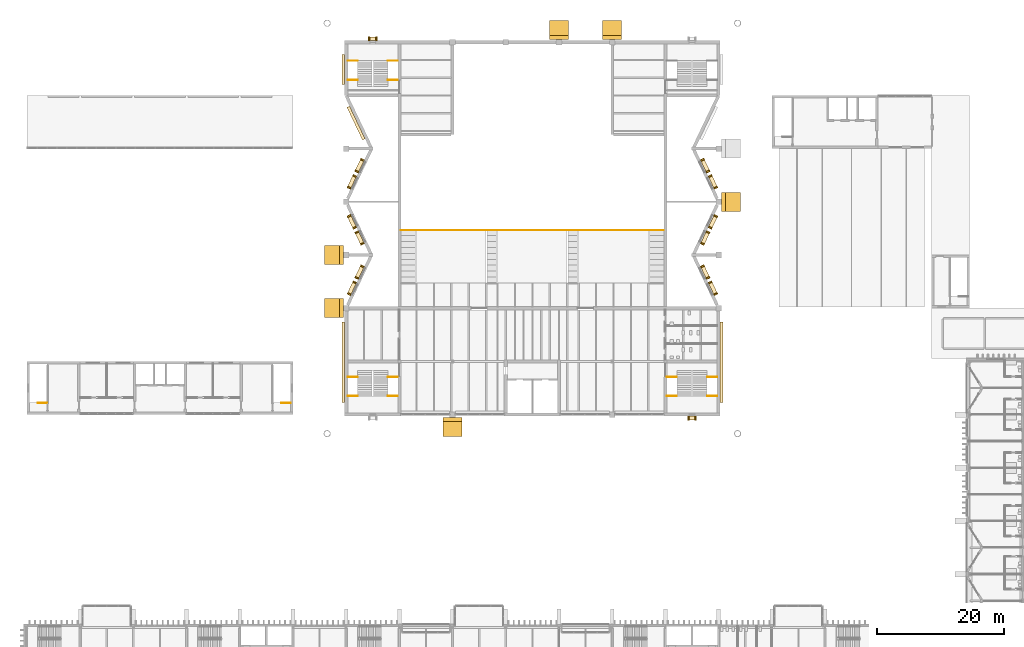
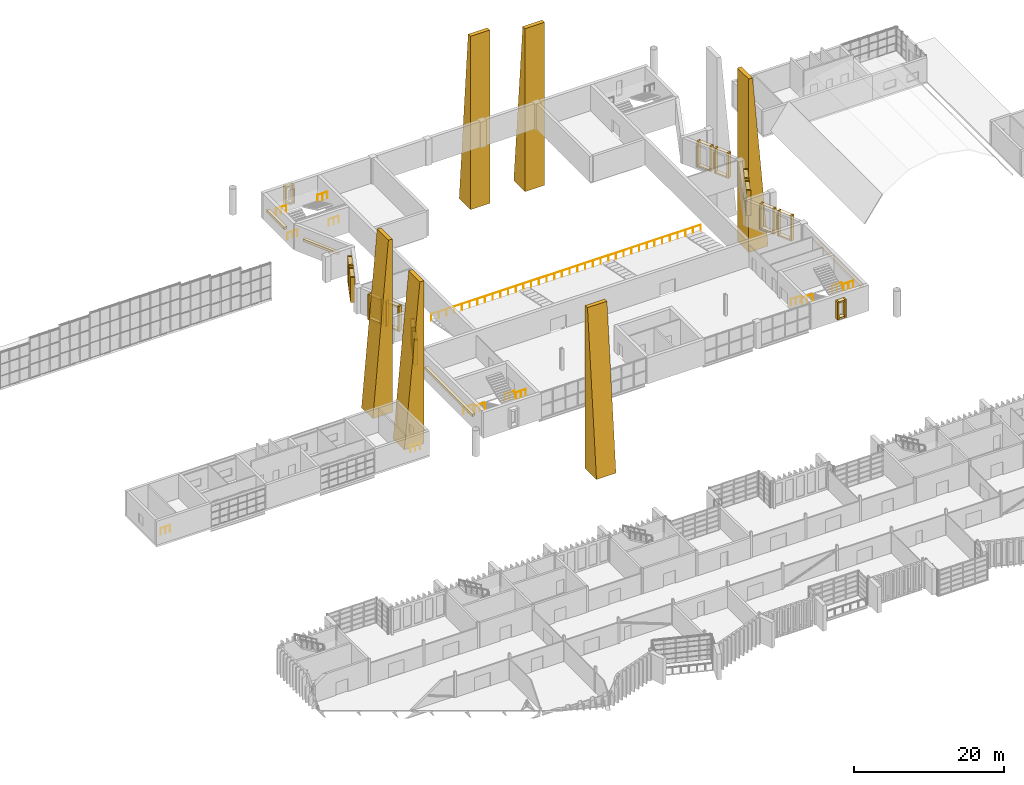
# One storey, part 95 of 100: 66 coverings, 15 railings.
"""IFC4 building model written with IfcOpenShell, lengths in metres."""

from ifc_helpers import new_model, si_unit, direction, frame, origin, origin_2d, place, context, subcontext, project, spatial, polyline, rectangle, circle, outline, extrude, material, type_object, element, save


model = new_model("IFC4")

# Units and contexts
model_context = context("Model", 3, precision=1e-05, world=origin(), true_north=direction((0.0, 1.0)))
body_context = subcontext(model_context, "Body", "Model", "MODEL_VIEW")
ifc_project = project(units=[si_unit("LENGTHUNIT", "METRE"), si_unit("AREAUNIT", "SQUARE_METRE"), si_unit("VOLUMEUNIT", "CUBIC_METRE"), si_unit("PLANEANGLEUNIT", "RADIAN"), si_unit("MASSUNIT", "GRAM", prefix="KILO")], contexts=[model_context])

# Site, building, storey
site_placement = place(None, origin())
site = spatial("IfcSite", under=ifc_project, at=site_placement, CompositionType="ELEMENT")
building_placement = place(site_placement, origin())
building = spatial("IfcBuilding", under=site, at=building_placement, Name="Cresset Court Congress Hotel", CompositionType="ELEMENT")
storey_placement = place(building_placement, frame((0.0, 0.0, 10.199951171875)))
storey = spatial("IfcBuildingStorey", under=building, at=storey_placement, Name="L02", CompositionType="ELEMENT", Elevation=10.199951171875)

# Railings
ifc_material_1 = material(Name="Steel and laminated glass", Category="steel")
railing_type_1 = type_object("IfcRailingType", Name="Guard 1100 steel and glass", PredefinedType="GUARDRAIL", material=ifc_material_1)
for number, where, name in (
    (1, (59.050048828125, 64.75, 0.0), "Guard CC-C1L02a"),
    (2, (65.39990234375, 64.75, 0.0), "Guard CC-C1L02b"),
    (3, (59.050048828125, 61.719970703125, 2.10009765625), "Guard CC-C1L02a"),
    (4, (65.39990234375, 61.719970703125, 2.10009765625), "Guard CC-C1L02b"),
    (5, (109.449951171875, 64.75, 0.0), "Guard CC-C2L02a"),
    (6, (115.800048828125, 64.75, 0.0), "Guard CC-C2L02b"),
    (7, (109.449951171875, 61.719970703125, 2.10009765625), "Guard CC-C2L02a"),
    (8, (115.800048828125, 61.719970703125, 2.10009765625), "Guard CC-C2L02b"),
    (9, (59.050048828125, 111.64990234375, 0.0), "Guard CC-C3L02a"),
    (10, (65.39990234375, 111.64990234375, 0.0), "Guard CC-C3L02b"),
    (11, (59.050048828125, 114.679931640625, 2.10009765625), "Guard CC-C3L02a"),
    (12, (65.39990234375, 114.679931640625, 2.10009765625), "Guard CC-C3L02b"),
):
    element("IfcRailing", number, at=place(storey_placement, frame(where)), inside=storey, type_object=railing_type_1, Name=name, PredefinedType="GUARDRAIL", context=body_context, shape_type="SweptSolid", body=[
        extrude(circle(Radius=0.02490234375, at=origin_2d()), frame((0.0, 0.0, 1.0751953125), z_axis=(1.0, 0.0, 0.0), x_axis=(0.0, 1.0, 0.0)), (0.0, 0.0, 1.0), 1.550048828125),
        extrude(circle(Radius=0.02001953125, at=origin_2d()), origin(), (0.0, 0.0, 1.0), 1.050048828125),
        extrude(circle(Radius=0.02001953125, at=origin_2d()), frame((0.77490234375, 0.0, 0.0)), (0.0, 0.0, 1.0), 1.050048828125),
        extrude(circle(Radius=0.02001953125, at=origin_2d()), frame((1.550048828125, 0.0, 0.0)), (0.0, 0.0, 1.0), 1.050048828125),
    ])
railing_placement = place(storey_placement, frame((67.449951171875, 87.89990234375, -1.75)))
element("IfcRailing", 13, at=railing_placement, inside=storey, type_object=railing_type_1, Name="Guard CG-B1", PredefinedType="GUARDRAIL", context=body_context, shape_type="SweptSolid", body=[
    extrude(circle(Radius=0.02490234375, at=origin_2d()), frame((0.0, 0.0, 1.0751953125), z_axis=(1.0, 0.0, 0.0), x_axis=(0.0, 1.0, 0.0)), (0.0, 0.0, 1.0), 41.5),
    extrude(circle(Radius=0.02001953125, at=origin_2d()), origin(), (0.0, 0.0, 1.0), 1.050048828125),
    extrude(circle(Radius=0.02001953125, at=origin_2d()), frame((1.185791015625, 0.0, 0.0)), (0.0, 0.0, 1.0), 1.050048828125),
    extrude(circle(Radius=0.02001953125, at=origin_2d()), frame((2.371337890625, 0.0, 0.0)), (0.0, 0.0, 1.0), 1.050048828125),
    extrude(circle(Radius=0.02001953125, at=origin_2d()), frame((3.55712890625, 0.0, 0.0)), (0.0, 0.0, 1.0), 1.050048828125),
    extrude(circle(Radius=0.02001953125, at=origin_2d()), frame((4.742919921875, 0.0, 0.0)), (0.0, 0.0, 1.0), 1.050048828125),
    extrude(circle(Radius=0.02001953125, at=origin_2d()), frame((5.928466796875, 0.0, 0.0)), (0.0, 0.0, 1.0), 1.050048828125),
    extrude(circle(Radius=0.02001953125, at=origin_2d()), frame((7.1142578125, 0.0, 0.0)), (0.0, 0.0, 1.0), 1.050048828125),
    extrude(circle(Radius=0.02001953125, at=origin_2d()), frame((8.300048828125, 0.0, 0.0)), (0.0, 0.0, 1.0), 1.050048828125),
    extrude(circle(Radius=0.02001953125, at=origin_2d()), frame((9.485595703125, 0.0, 0.0)), (0.0, 0.0, 1.0), 1.050048828125),
    extrude(circle(Radius=0.02001953125, at=origin_2d()), frame((10.67138671875, 0.0, 0.0)), (0.0, 0.0, 1.0), 1.050048828125),
    extrude(circle(Radius=0.02001953125, at=origin_2d()), frame((11.857177734375, 0.0, 0.0)), (0.0, 0.0, 1.0), 1.050048828125),
    extrude(circle(Radius=0.02001953125, at=origin_2d()), frame((13.04296875, 0.0, 0.0)), (0.0, 0.0, 1.0), 1.050048828125),
    extrude(circle(Radius=0.02001953125, at=origin_2d()), frame((14.228515625, 0.0, 0.0)), (0.0, 0.0, 1.0), 1.050048828125),
    extrude(circle(Radius=0.02001953125, at=origin_2d()), frame((15.414306640625, 0.0, 0.0)), (0.0, 0.0, 1.0), 1.050048828125),
    extrude(circle(Radius=0.02001953125, at=origin_2d()), frame((16.60009765625, 0.0, 0.0)), (0.0, 0.0, 1.0), 1.050048828125),
    extrude(circle(Radius=0.02001953125, at=origin_2d()), frame((17.78564453125, 0.0, 0.0)), (0.0, 0.0, 1.0), 1.050048828125),
    extrude(circle(Radius=0.02001953125, at=origin_2d()), frame((18.971435546875, 0.0, 0.0)), (0.0, 0.0, 1.0), 1.050048828125),
    extrude(circle(Radius=0.02001953125, at=origin_2d()), frame((20.1572265625, 0.0, 0.0)), (0.0, 0.0, 1.0), 1.050048828125),
    extrude(circle(Radius=0.02001953125, at=origin_2d()), frame((21.3427734375, 0.0, 0.0)), (0.0, 0.0, 1.0), 1.050048828125),
    extrude(circle(Radius=0.02001953125, at=origin_2d()), frame((22.528564453125, 0.0, 0.0)), (0.0, 0.0, 1.0), 1.050048828125),
    extrude(circle(Radius=0.02001953125, at=origin_2d()), frame((23.71435546875, 0.0, 0.0)), (0.0, 0.0, 1.0), 1.050048828125),
    extrude(circle(Radius=0.02001953125, at=origin_2d()), frame((24.89990234375, 0.0, 0.0)), (0.0, 0.0, 1.0), 1.050048828125),
    extrude(circle(Radius=0.02001953125, at=origin_2d()), frame((26.085693359375, 0.0, 0.0)), (0.0, 0.0, 1.0), 1.050048828125),
    extrude(circle(Radius=0.02001953125, at=origin_2d()), frame((27.271484375, 0.0, 0.0)), (0.0, 0.0, 1.0), 1.050048828125),
    extrude(circle(Radius=0.02001953125, at=origin_2d()), frame((28.45703125, 0.0, 0.0)), (0.0, 0.0, 1.0), 1.050048828125),
    extrude(circle(Radius=0.02001953125, at=origin_2d()), frame((29.642822265625, 0.0, 0.0)), (0.0, 0.0, 1.0), 1.050048828125),
    extrude(circle(Radius=0.02001953125, at=origin_2d()), frame((30.82861328125, 0.0, 0.0)), (0.0, 0.0, 1.0), 1.050048828125),
    extrude(circle(Radius=0.02001953125, at=origin_2d()), frame((32.014404296875, 0.0, 0.0)), (0.0, 0.0, 1.0), 1.050048828125),
    extrude(circle(Radius=0.02001953125, at=origin_2d()), frame((33.199951171875, 0.0, 0.0)), (0.0, 0.0, 1.0), 1.050048828125),
    extrude(circle(Radius=0.02001953125, at=origin_2d()), frame((34.3857421875, 0.0, 0.0)), (0.0, 0.0, 1.0), 1.050048828125),
    extrude(circle(Radius=0.02001953125, at=origin_2d()), frame((35.571533203125, 0.0, 0.0)), (0.0, 0.0, 1.0), 1.050048828125),
    extrude(circle(Radius=0.02001953125, at=origin_2d()), frame((36.757080078125, 0.0, 0.0)), (0.0, 0.0, 1.0), 1.050048828125),
    extrude(circle(Radius=0.02001953125, at=origin_2d()), frame((37.94287109375, 0.0, 0.0)), (0.0, 0.0, 1.0), 1.050048828125),
    extrude(circle(Radius=0.02001953125, at=origin_2d()), frame((39.128662109375, 0.0, 0.0)), (0.0, 0.0, 1.0), 1.050048828125),
    extrude(circle(Radius=0.02001953125, at=origin_2d()), frame((40.314208984375, 0.0, 0.0)), (0.0, 0.0, 1.0), 1.050048828125),
    extrude(circle(Radius=0.02001953125, at=origin_2d()), frame((41.5, 0.0, 0.0)), (0.0, 0.0, 1.0), 1.050048828125),
])

# Coverings
ifc_material_2 = material(Name="Precast concrete C50", Category="concrete")
covering_type_1 = type_object("IfcCoveringType", Name="Precast reveal band 450x400", PredefinedType="CLADDING", material=ifc_material_2)
covering_1_placement = place(storey_placement, frame((118.074951171875, 67.10009765625, 2.35009765625), z_axis=(0.0, 0.0, 1.0), x_axis=(0.0, -1.0, 0.0)))
element("IfcCovering", 14, at=covering_1_placement, inside=storey, type_object=covering_type_1, Name="Reveal band E.L02.00a.1", PredefinedType="CLADDING", context=body_context, shape_type="SweptSolid", body=[
    extrude(rectangle(XDim=12.699951171875, YDim=0.449951171875, at=origin_2d()), origin(), (0.0, 0.0, 1.0), 0.39990234375),
])
covering_2_placement = place(storey_placement, frame((58.324951171875, 113.27490234375, 2.35009765625), z_axis=(0.0, 0.0, 1.0), x_axis=(0.0, 1.0, 0.0)))
element("IfcCovering", 15, at=covering_2_placement, inside=storey, type_object=covering_type_1, Name="Reveal band W.L02.00a0.1", PredefinedType="CLADDING", context=body_context, shape_type="SweptSolid", body=[
    extrude(rectangle(XDim=4.75, YDim=0.449951171875, at=origin_2d()), origin(), (0.0, 0.0, 1.0), 0.39990234375),
])
covering_3_placement = place(storey_placement, frame((60.350341796875, 104.839599609375, 2.35009765625), z_axis=(0.0, 0.0, 1.0), x_axis=(-0.429932870312, 0.902860856957, 0.0)))
element("IfcCovering", 16, at=covering_3_placement, inside=storey, type_object=covering_type_1, Name="Reveal band W.L02.00a1.1", PredefinedType="CLADDING", context=body_context, shape_type="SweptSolid", body=[
    extrude(rectangle(XDim=5.696044921875, YDim=0.449951171875, at=origin_2d()), origin(), (0.0, 0.0, 1.0), 0.39990234375),
])
covering_4_placement = place(storey_placement, frame((58.324951171875, 67.10009765625, 2.35009765625), z_axis=(0.0, 0.0, 1.0), x_axis=(0.0, 1.0, 0.0)))
element("IfcCovering", 17, at=covering_4_placement, inside=storey, type_object=covering_type_1, Name="Reveal band W.L02.04a.1", PredefinedType="CLADDING", context=body_context, shape_type="SweptSolid", body=[
    extrude(rectangle(XDim=12.699951171875, YDim=0.449951171875, at=origin_2d()), origin(), (0.0, 0.0, 1.0), 0.39990234375),
])
ifc_material_3 = material(Name="Precast concrete C50", Category="concrete")
covering_type_2 = type_object("IfcCoveringType", Name="Precast reveal frame member 250x600", PredefinedType="CLADDING", material=ifc_material_3)
for number, where, z_axis, x_axis, name in (
    (18, (60.469970703125, 97.18603515625, 0.050048828125), (0.0, 0.0, 1.0), (0.429932870312, 0.902860856957, 0.0), "Reveal frame NC-02-W0197a"),
    (19, (61.351318359375, 99.036865234375, 0.050048828125), (0.0, 0.0, 1.0), (0.429932870312, 0.902860856957, 0.0), "Reveal frame NC-02-W0197b"),
):
    element("IfcCovering", number, at=place(storey_placement, frame(where, z_axis=z_axis, x_axis=x_axis)), inside=storey, type_object=covering_type_2, Name=name, PredefinedType="CLADDING", context=body_context, shape_type="SweptSolid", body=[
        extrude(rectangle(XDim=0.25, YDim=0.60009765625, at=origin_2d()), origin(), (0.0, 0.0, 1.0), 4.10009765625),
    ])
for number, where, z_axis, x_axis, name in (
    (20, (60.91064453125, 98.111572265625, 3.900146484375), (0.0, 0.0, 1.0), (0.429932870312, 0.902860856957, 0.0), "Reveal frame NC-02-W0197c"),
    (21, (60.91064453125, 98.111572265625, 0.050048828125), (0.0, 0.0, 1.0), (0.429932870312, 0.902860856957, 0.0), "Reveal frame NC-02-W0197d"),
):
    element("IfcCovering", number, at=place(storey_placement, frame(where, z_axis=z_axis, x_axis=x_axis)), inside=storey, type_object=covering_type_2, Name=name, PredefinedType="CLADDING", context=body_context, shape_type="SweptSolid", body=[
        extrude(rectangle(XDim=1.800048828125, YDim=0.60009765625, at=origin_2d()), origin(), (0.0, 0.0, 1.0), 0.25),
    ])
for number, where, z_axis, x_axis, name in (
    (22, (59.255615234375, 94.635986328125, 0.050048828125), (0.0, 0.0, 1.0), (0.429932870312, 0.902860856957, 0.0), "Reveal frame NC-02-W0222a"),
    (23, (60.136962890625, 96.48681640625, 0.050048828125), (0.0, 0.0, 1.0), (0.429932870312, 0.902860856957, 0.0), "Reveal frame NC-02-W0222b"),
):
    element("IfcCovering", number, at=place(storey_placement, frame(where, z_axis=z_axis, x_axis=x_axis)), inside=storey, type_object=covering_type_2, Name=name, PredefinedType="CLADDING", context=body_context, shape_type="SweptSolid", body=[
        extrude(rectangle(XDim=0.25, YDim=0.60009765625, at=origin_2d()), origin(), (0.0, 0.0, 1.0), 4.10009765625),
    ])
for number, where, z_axis, x_axis, name in (
    (24, (59.6962890625, 95.5615234375, 3.900146484375), (0.0, 0.0, 1.0), (0.429932870312, 0.902860856957, 0.0), "Reveal frame NC-02-W0222c"),
    (25, (59.6962890625, 95.5615234375, 0.050048828125), (0.0, 0.0, 1.0), (0.429932870312, 0.902860856957, 0.0), "Reveal frame NC-02-W0222d"),
):
    element("IfcCovering", number, at=place(storey_placement, frame(where, z_axis=z_axis, x_axis=x_axis)), inside=storey, type_object=covering_type_2, Name=name, PredefinedType="CLADDING", context=body_context, shape_type="SweptSolid", body=[
        extrude(rectangle(XDim=1.800048828125, YDim=0.60009765625, at=origin_2d()), origin(), (0.0, 0.0, 1.0), 0.25),
    ])
for number, where, z_axis, x_axis, name in (
    (26, (60.136962890625, 88.31298828125, 0.050048828125), (0.0, 0.0, 1.0), (-0.429932870312, 0.902860856957, 0.0), "Reveal frame NC-02-W0281a"),
    (27, (59.255615234375, 90.163818359375, 0.050048828125), (0.0, 0.0, 1.0), (-0.429932870312, 0.902860856957, 0.0), "Reveal frame NC-02-W0281b"),
):
    element("IfcCovering", number, at=place(storey_placement, frame(where, z_axis=z_axis, x_axis=x_axis)), inside=storey, type_object=covering_type_2, Name=name, PredefinedType="CLADDING", context=body_context, shape_type="SweptSolid", body=[
        extrude(rectangle(XDim=0.25, YDim=0.60009765625, at=origin_2d()), origin(), (0.0, 0.0, 1.0), 4.10009765625),
    ])
for number, where, z_axis, x_axis, name in (
    (28, (59.6962890625, 89.238525390625, 3.900146484375), (0.0, 0.0, 1.0), (-0.429932870312, 0.902860856957, 0.0), "Reveal frame NC-02-W0281c"),
    (29, (59.6962890625, 89.238525390625, 0.050048828125), (0.0, 0.0, 1.0), (-0.429932870312, 0.902860856957, 0.0), "Reveal frame NC-02-W0281d"),
):
    element("IfcCovering", number, at=place(storey_placement, frame(where, z_axis=z_axis, x_axis=x_axis)), inside=storey, type_object=covering_type_2, Name=name, PredefinedType="CLADDING", context=body_context, shape_type="SweptSolid", body=[
        extrude(rectangle(XDim=1.800048828125, YDim=0.60009765625, at=origin_2d()), origin(), (0.0, 0.0, 1.0), 0.25),
    ])
for number, where, z_axis, x_axis, name in (
    (30, (61.351318359375, 85.76318359375, 0.050048828125), (0.0, 0.0, 1.0), (-0.429932870312, 0.902860856957, 0.0), "Reveal frame NC-02-W0306a"),
    (31, (60.469970703125, 87.614013671875, 0.050048828125), (0.0, 0.0, 1.0), (-0.429932870312, 0.902860856957, 0.0), "Reveal frame NC-02-W0306b"),
):
    element("IfcCovering", number, at=place(storey_placement, frame(where, z_axis=z_axis, x_axis=x_axis)), inside=storey, type_object=covering_type_2, Name=name, PredefinedType="CLADDING", context=body_context, shape_type="SweptSolid", body=[
        extrude(rectangle(XDim=0.25, YDim=0.60009765625, at=origin_2d()), origin(), (0.0, 0.0, 1.0), 4.10009765625),
    ])
for number, where, z_axis, x_axis, name in (
    (32, (60.91064453125, 86.6884765625, 3.900146484375), (0.0, 0.0, 1.0), (-0.429932870312, 0.902860856957, 0.0), "Reveal frame NC-02-W0306c"),
    (33, (60.91064453125, 86.6884765625, 0.050048828125), (0.0, 0.0, 1.0), (-0.429932870312, 0.902860856957, 0.0), "Reveal frame NC-02-W0306d"),
):
    element("IfcCovering", number, at=place(storey_placement, frame(where, z_axis=z_axis, x_axis=x_axis)), inside=storey, type_object=covering_type_2, Name=name, PredefinedType="CLADDING", context=body_context, shape_type="SweptSolid", body=[
        extrude(rectangle(XDim=1.800048828125, YDim=0.60009765625, at=origin_2d()), origin(), (0.0, 0.0, 1.0), 0.25),
    ])
for number, where, z_axis, x_axis, name in (
    (34, (60.469970703125, 80.385986328125, 0.050048828125), (0.0, 0.0, 1.0), (0.429932870312, 0.902860856957, 0.0), "Reveal frame NC-02-W0365a"),
    (35, (61.351318359375, 82.23681640625, 0.050048828125), (0.0, 0.0, 1.0), (0.429932870312, 0.902860856957, 0.0), "Reveal frame NC-02-W0365b"),
):
    element("IfcCovering", number, at=place(storey_placement, frame(where, z_axis=z_axis, x_axis=x_axis)), inside=storey, type_object=covering_type_2, Name=name, PredefinedType="CLADDING", context=body_context, shape_type="SweptSolid", body=[
        extrude(rectangle(XDim=0.25, YDim=0.60009765625, at=origin_2d()), origin(), (0.0, 0.0, 1.0), 4.10009765625),
    ])
for number, where, z_axis, x_axis, name in (
    (36, (60.91064453125, 81.3115234375, 3.900146484375), (0.0, 0.0, 1.0), (0.429932870312, 0.902860856957, 0.0), "Reveal frame NC-02-W0365c"),
    (37, (60.91064453125, 81.3115234375, 0.050048828125), (0.0, 0.0, 1.0), (0.429932870312, 0.902860856957, 0.0), "Reveal frame NC-02-W0365d"),
):
    element("IfcCovering", number, at=place(storey_placement, frame(where, z_axis=z_axis, x_axis=x_axis)), inside=storey, type_object=covering_type_2, Name=name, PredefinedType="CLADDING", context=body_context, shape_type="SweptSolid", body=[
        extrude(rectangle(XDim=1.800048828125, YDim=0.60009765625, at=origin_2d()), origin(), (0.0, 0.0, 1.0), 0.25),
    ])
for number, where, z_axis, x_axis, name in (
    (38, (59.255615234375, 77.8359375, 0.050048828125), (0.0, 0.0, 1.0), (0.429932870312, 0.902860856957, 0.0), "Reveal frame NC-02-W0390a"),
    (39, (60.136962890625, 79.68701171875, 0.050048828125), (0.0, 0.0, 1.0), (0.429932870312, 0.902860856957, 0.0), "Reveal frame NC-02-W0390b"),
):
    element("IfcCovering", number, at=place(storey_placement, frame(where, z_axis=z_axis, x_axis=x_axis)), inside=storey, type_object=covering_type_2, Name=name, PredefinedType="CLADDING", context=body_context, shape_type="SweptSolid", body=[
        extrude(rectangle(XDim=0.25, YDim=0.60009765625, at=origin_2d()), origin(), (0.0, 0.0, 1.0), 4.10009765625),
    ])
for number, where, z_axis, x_axis, name in (
    (40, (59.6962890625, 78.761474609375, 3.900146484375), (0.0, 0.0, 1.0), (0.429932870312, 0.902860856957, 0.0), "Reveal frame NC-02-W0390c"),
    (41, (59.6962890625, 78.761474609375, 0.050048828125), (0.0, 0.0, 1.0), (0.429932870312, 0.902860856957, 0.0), "Reveal frame NC-02-W0390d"),
):
    element("IfcCovering", number, at=place(storey_placement, frame(where, z_axis=z_axis, x_axis=x_axis)), inside=storey, type_object=covering_type_2, Name=name, PredefinedType="CLADDING", context=body_context, shape_type="SweptSolid", body=[
        extrude(rectangle(XDim=1.800048828125, YDim=0.60009765625, at=origin_2d()), origin(), (0.0, 0.0, 1.0), 0.25),
    ])
for number, where, z_axis, x_axis, name in (
    (42, (116.262939453125, 79.68701171875, 0.050048828125), (0.0, 0.0, 1.0), (0.429932870312, -0.902860856957, 0.0), "Reveal frame NC-02-E0197a"),
    (43, (117.144287109375, 77.836181640625, 0.050048828125), (0.0, 0.0, 1.0), (0.429932870312, -0.902860856957, 0.0), "Reveal frame NC-02-E0197b"),
):
    element("IfcCovering", number, at=place(storey_placement, frame(where, z_axis=z_axis, x_axis=x_axis)), inside=storey, type_object=covering_type_2, Name=name, PredefinedType="CLADDING", context=body_context, shape_type="SweptSolid", body=[
        extrude(rectangle(XDim=0.25, YDim=0.60009765625, at=origin_2d()), origin(), (0.0, 0.0, 1.0), 4.10009765625),
    ])
for number, where, z_axis, x_axis, name in (
    (44, (116.70361328125, 78.761474609375, 3.900146484375), (0.0, 0.0, 1.0), (0.429932870312, -0.902860856957, 0.0), "Reveal frame NC-02-E0197c"),
    (45, (116.70361328125, 78.761474609375, 0.050048828125), (0.0, 0.0, 1.0), (0.429932870312, -0.902860856957, 0.0), "Reveal frame NC-02-E0197d"),
):
    element("IfcCovering", number, at=place(storey_placement, frame(where, z_axis=z_axis, x_axis=x_axis)), inside=storey, type_object=covering_type_2, Name=name, PredefinedType="CLADDING", context=body_context, shape_type="SweptSolid", body=[
        extrude(rectangle(XDim=1.800048828125, YDim=0.60009765625, at=origin_2d()), origin(), (0.0, 0.0, 1.0), 0.25),
    ])
for number, where, z_axis, x_axis, name in (
    (46, (115.048828125, 82.23681640625, 0.050048828125), (0.0, 0.0, 1.0), (0.429932870312, -0.902860856957, 0.0), "Reveal frame NC-02-E0222a"),
    (47, (115.93017578125, 80.385986328125, 0.050048828125), (0.0, 0.0, 1.0), (0.429932870312, -0.902860856957, 0.0), "Reveal frame NC-02-E0222b"),
):
    element("IfcCovering", number, at=place(storey_placement, frame(where, z_axis=z_axis, x_axis=x_axis)), inside=storey, type_object=covering_type_2, Name=name, PredefinedType="CLADDING", context=body_context, shape_type="SweptSolid", body=[
        extrude(rectangle(XDim=0.25, YDim=0.60009765625, at=origin_2d()), origin(), (0.0, 0.0, 1.0), 4.10009765625),
    ])
for number, where, z_axis, x_axis, name in (
    (48, (115.489501953125, 81.3115234375, 3.900146484375), (0.0, 0.0, 1.0), (0.429932870312, -0.902860856957, 0.0), "Reveal frame NC-02-E0222c"),
    (49, (115.489501953125, 81.3115234375, 0.050048828125), (0.0, 0.0, 1.0), (0.429932870312, -0.902860856957, 0.0), "Reveal frame NC-02-E0222d"),
):
    element("IfcCovering", number, at=place(storey_placement, frame(where, z_axis=z_axis, x_axis=x_axis)), inside=storey, type_object=covering_type_2, Name=name, PredefinedType="CLADDING", context=body_context, shape_type="SweptSolid", body=[
        extrude(rectangle(XDim=1.800048828125, YDim=0.60009765625, at=origin_2d()), origin(), (0.0, 0.0, 1.0), 0.25),
    ])
for number, where, z_axis, x_axis, name in (
    (50, (115.93017578125, 87.614013671875, 0.050048828125), (0.0, 0.0, 1.0), (-0.429932870312, -0.902860856957, 0.0), "Reveal frame NC-02-E0281a"),
    (51, (115.048583984375, 85.76318359375, 0.050048828125), (0.0, 0.0, 1.0), (-0.429932870312, -0.902860856957, 0.0), "Reveal frame NC-02-E0281b"),
):
    element("IfcCovering", number, at=place(storey_placement, frame(where, z_axis=z_axis, x_axis=x_axis)), inside=storey, type_object=covering_type_2, Name=name, PredefinedType="CLADDING", context=body_context, shape_type="SweptSolid", body=[
        extrude(rectangle(XDim=0.25, YDim=0.60009765625, at=origin_2d()), origin(), (0.0, 0.0, 1.0), 4.10009765625),
    ])
for number, where, z_axis, x_axis, name in (
    (52, (115.489501953125, 86.6884765625, 3.900146484375), (0.0, 0.0, 1.0), (-0.429932870312, -0.902860856957, 0.0), "Reveal frame NC-02-E0281c"),
    (53, (115.489501953125, 86.6884765625, 0.050048828125), (0.0, 0.0, 1.0), (-0.429932870312, -0.902860856957, 0.0), "Reveal frame NC-02-E0281d"),
):
    element("IfcCovering", number, at=place(storey_placement, frame(where, z_axis=z_axis, x_axis=x_axis)), inside=storey, type_object=covering_type_2, Name=name, PredefinedType="CLADDING", context=body_context, shape_type="SweptSolid", body=[
        extrude(rectangle(XDim=1.800048828125, YDim=0.60009765625, at=origin_2d()), origin(), (0.0, 0.0, 1.0), 0.25),
    ])
for number, where, z_axis, x_axis, name in (
    (54, (117.144287109375, 90.1640625, 0.050048828125), (0.0, 0.0, 1.0), (-0.429932870312, -0.902860856957, 0.0), "Reveal frame NC-02-E0306a"),
    (55, (116.262939453125, 88.31298828125, 0.050048828125), (0.0, 0.0, 1.0), (-0.429932870312, -0.902860856957, 0.0), "Reveal frame NC-02-E0306b"),
):
    element("IfcCovering", number, at=place(storey_placement, frame(where, z_axis=z_axis, x_axis=x_axis)), inside=storey, type_object=covering_type_2, Name=name, PredefinedType="CLADDING", context=body_context, shape_type="SweptSolid", body=[
        extrude(rectangle(XDim=0.25, YDim=0.60009765625, at=origin_2d()), origin(), (0.0, 0.0, 1.0), 4.10009765625),
    ])
for number, where, z_axis, x_axis, name in (
    (56, (116.70361328125, 89.238525390625, 3.900146484375), (0.0, 0.0, 1.0), (-0.429932870312, -0.902860856957, 0.0), "Reveal frame NC-02-E0306c"),
    (57, (116.70361328125, 89.238525390625, 0.050048828125), (0.0, 0.0, 1.0), (-0.429932870312, -0.902860856957, 0.0), "Reveal frame NC-02-E0306d"),
):
    element("IfcCovering", number, at=place(storey_placement, frame(where, z_axis=z_axis, x_axis=x_axis)), inside=storey, type_object=covering_type_2, Name=name, PredefinedType="CLADDING", context=body_context, shape_type="SweptSolid", body=[
        extrude(rectangle(XDim=1.800048828125, YDim=0.60009765625, at=origin_2d()), origin(), (0.0, 0.0, 1.0), 0.25),
    ])
for number, where, z_axis, x_axis, name in (
    (58, (116.262939453125, 96.48681640625, 0.050048828125), (0.0, 0.0, 1.0), (0.429932870312, -0.902860856957, 0.0), "Reveal frame NC-02-E0365a"),
    (59, (117.144287109375, 94.635986328125, 0.050048828125), (0.0, 0.0, 1.0), (0.429932870312, -0.902860856957, 0.0), "Reveal frame NC-02-E0365b"),
):
    element("IfcCovering", number, at=place(storey_placement, frame(where, z_axis=z_axis, x_axis=x_axis)), inside=storey, type_object=covering_type_2, Name=name, PredefinedType="CLADDING", context=body_context, shape_type="SweptSolid", body=[
        extrude(rectangle(XDim=0.25, YDim=0.60009765625, at=origin_2d()), origin(), (0.0, 0.0, 1.0), 4.10009765625),
    ])
for number, where, z_axis, x_axis, name in (
    (60, (116.70361328125, 95.5615234375, 3.900146484375), (0.0, 0.0, 1.0), (0.429932870312, -0.902860856957, 0.0), "Reveal frame NC-02-E0365c"),
    (61, (116.70361328125, 95.5615234375, 0.050048828125), (0.0, 0.0, 1.0), (0.429932870312, -0.902860856957, 0.0), "Reveal frame NC-02-E0365d"),
):
    element("IfcCovering", number, at=place(storey_placement, frame(where, z_axis=z_axis, x_axis=x_axis)), inside=storey, type_object=covering_type_2, Name=name, PredefinedType="CLADDING", context=body_context, shape_type="SweptSolid", body=[
        extrude(rectangle(XDim=1.800048828125, YDim=0.60009765625, at=origin_2d()), origin(), (0.0, 0.0, 1.0), 0.25),
    ])
for number, where, z_axis, x_axis, name in (
    (62, (115.048828125, 99.036865234375, 0.050048828125), (0.0, 0.0, 1.0), (0.429932870312, -0.902860856957, 0.0), "Reveal frame NC-02-E0390a"),
    (63, (115.93017578125, 97.18603515625, 0.050048828125), (0.0, 0.0, 1.0), (0.429932870312, -0.902860856957, 0.0), "Reveal frame NC-02-E0390b"),
):
    element("IfcCovering", number, at=place(storey_placement, frame(where, z_axis=z_axis, x_axis=x_axis)), inside=storey, type_object=covering_type_2, Name=name, PredefinedType="CLADDING", context=body_context, shape_type="SweptSolid", body=[
        extrude(rectangle(XDim=0.25, YDim=0.60009765625, at=origin_2d()), origin(), (0.0, 0.0, 1.0), 4.10009765625),
    ])
for number, where, z_axis, x_axis, name in (
    (64, (115.489501953125, 98.111572265625, 3.900146484375), (0.0, 0.0, 1.0), (0.429932870312, -0.902860856957, 0.0), "Reveal frame NC-02-E0390c"),
    (65, (115.489501953125, 98.111572265625, 0.050048828125), (0.0, 0.0, 1.0), (0.429932870312, -0.902860856957, 0.0), "Reveal frame NC-02-E0390d"),
):
    element("IfcCovering", number, at=place(storey_placement, frame(where, z_axis=z_axis, x_axis=x_axis)), inside=storey, type_object=covering_type_2, Name=name, PredefinedType="CLADDING", context=body_context, shape_type="SweptSolid", body=[
        extrude(rectangle(XDim=1.800048828125, YDim=0.60009765625, at=origin_2d()), origin(), (0.0, 0.0, 1.0), 0.25),
    ])
for number, where, z_axis, x_axis, name in (
    (66, (113.97509765625, 58.25, 0.650146484375), (0.0, 0.0, 1.0), (1.0, 0.0, 0.0), "Reveal frame NC-02-C2a"),
    (67, (112.824951171875, 58.25, 0.650146484375), (0.0, 0.0, 1.0), (1.0, 0.0, 0.0), "Reveal frame NC-02-C2b"),
):
    element("IfcCovering", number, at=place(storey_placement, frame(where, z_axis=z_axis, x_axis=x_axis)), inside=storey, type_object=covering_type_2, Name=name, PredefinedType="CLADDING", context=body_context, shape_type="SweptSolid", body=[
        extrude(rectangle(XDim=0.25, YDim=0.60009765625, at=origin_2d()), origin(), (0.0, 0.0, 1.0), 2.89990234375),
    ])
for number, where, z_axis, x_axis, name in (
    (68, (113.39990234375, 58.25, 3.300048828125), (0.0, 0.0, 1.0), (1.0, 0.0, 0.0), "Reveal frame NC-02-C2c"),
    (69, (113.39990234375, 58.25, 0.650146484375), (0.0, 0.0, 1.0), (1.0, 0.0, 0.0), "Reveal frame NC-02-C2d"),
):
    element("IfcCovering", number, at=place(storey_placement, frame(where, z_axis=z_axis, x_axis=x_axis)), inside=storey, type_object=covering_type_2, Name=name, PredefinedType="CLADDING", context=body_context, shape_type="SweptSolid", body=[
        extrude(rectangle(XDim=0.89990234375, YDim=0.60009765625, at=origin_2d()), origin(), (0.0, 0.0, 1.0), 0.25),
    ])
for number, where, z_axis, x_axis, name in (
    (70, (62.425048828125, 118.14990234375, 0.650146484375), (0.0, 0.0, 1.0), (1.0, 0.0, 0.0), "Reveal frame NC-02-C3a"),
    (71, (63.574951171875, 118.14990234375, 0.650146484375), (0.0, 0.0, 1.0), (1.0, 0.0, 0.0), "Reveal frame NC-02-C3b"),
):
    element("IfcCovering", number, at=place(storey_placement, frame(where, z_axis=z_axis, x_axis=x_axis)), inside=storey, type_object=covering_type_2, Name=name, PredefinedType="CLADDING", context=body_context, shape_type="SweptSolid", body=[
        extrude(rectangle(XDim=0.25, YDim=0.60009765625, at=origin_2d()), origin(), (0.0, 0.0, 1.0), 2.89990234375),
    ])
for number, where, z_axis, x_axis, name in (
    (72, (63.0, 118.14990234375, 3.300048828125), (0.0, 0.0, 1.0), (1.0, 0.0, 0.0), "Reveal frame NC-02-C3c"),
    (73, (63.0, 118.14990234375, 0.650146484375), (0.0, 0.0, 1.0), (1.0, 0.0, 0.0), "Reveal frame NC-02-C3d"),
):
    element("IfcCovering", number, at=place(storey_placement, frame(where, z_axis=z_axis, x_axis=x_axis)), inside=storey, type_object=covering_type_2, Name=name, PredefinedType="CLADDING", context=body_context, shape_type="SweptSolid", body=[
        extrude(rectangle(XDim=0.89990234375, YDim=0.60009765625, at=origin_2d()), origin(), (0.0, 0.0, 1.0), 0.25),
    ])
ifc_material_4 = material(Name="Board-marked concrete C50", Category="concrete")
covering_type_3 = type_object("IfcCoveringType", Name="Raked buttress 3000", PredefinedType="CLADDING", material=ifc_material_4)
covering_5_placement = place(storey_placement, frame((77.10009765625, 58.35009765625, 16.31884765625), z_axis=(1.0, 0.0, 0.0), x_axis=(0.0, -1.0, 0.0)))
element("IfcCovering", 74, at=covering_5_placement, inside=storey, type_object=covering_type_3, Name="Buttress CB-S1", PredefinedType="CLADDING", context=body_context, shape_type="SweptSolid", body=[
    extrude(outline(polyline([(0.0, 0.0), (0.60009765625, 0.0), (3.0, 26.518798828125), (0.0, 26.518798828125), (0.0, 0.0)])), origin(), (0.0, 0.0, -1.0), 3.0),
])
covering_6_placement = place(storey_placement, frame((0.0, 92.39990234375, -10.199951171875)))
element("IfcCovering", 75, at=covering_6_placement, inside=storey, type_object=covering_type_3, Name="Buttress CB-E3", PredefinedType="CLADDING", context=body_context, shape_type="SweptSolid", body=[
    extrude(outline(polyline([(118.050048828125, 0.0), (121.050048828125, 0.0), (118.64990234375, 28.20458984375), (118.050048828125, 28.20458984375), (118.050048828125, 0.0)])), frame((0.0, 1.5, 0.0), z_axis=(0.0, -1.0, 0.0), x_axis=(1.0, 0.0, 0.0)), (0.0, 0.0, 1.0), 3.0),
])
covering_7_placement = place(storey_placement, frame((102.300048828125, 118.050048828125, -10.199951171875), z_axis=(1.0, 0.0, 0.0), x_axis=(0.0, 1.0, 0.0)))
element("IfcCovering", 76, at=covering_7_placement, inside=storey, type_object=covering_type_3, Name="Buttress CB-N1", PredefinedType="CLADDING", context=body_context, shape_type="SweptSolid", body=[
    extrude(outline(polyline([(0.0, 0.0), (3.0, 0.0), (0.599853515625, 26.518798828125), (0.0, 26.518798828125), (0.0, 0.0)])), origin(), (0.0, 0.0, -1.0), 3.0),
])
covering_8_placement = place(storey_placement, frame((93.89990234375, 118.050048828125, -10.199951171875), z_axis=(1.0, 0.0, 0.0), x_axis=(0.0, 1.0, 0.0)))
element("IfcCovering", 77, at=covering_8_placement, inside=storey, type_object=covering_type_3, Name="Buttress CB-N2", PredefinedType="CLADDING", context=body_context, shape_type="SweptSolid", body=[
    extrude(outline(polyline([(0.0, 0.0), (3.0, 0.0), (0.599853515625, 28.20458984375), (0.0, 28.20458984375), (0.0, 0.0)])), origin(), (0.0, 0.0, -1.0), 3.0),
])
covering_9_placement = place(storey_placement, frame((0.0, 84.0, -10.199951171875)))
element("IfcCovering", 78, at=covering_9_placement, inside=storey, type_object=covering_type_3, Name="Buttress CB-W3", PredefinedType="CLADDING", context=body_context, shape_type="SweptSolid", body=[
    extrude(outline(polyline([(58.35009765625, 28.20458984375), (57.75, 28.20458984375), (55.35009765625, 0.0), (58.35009765625, 0.0), (58.35009765625, 28.20458984375)])), frame((0.0, 1.5, 0.0), z_axis=(0.0, -1.0, 0.0), x_axis=(1.0, 0.0, 0.0)), (0.0, 0.0, 1.0), 3.0),
])
covering_10_placement = place(storey_placement, frame((0.0, 75.60009765625, -10.199951171875)))
element("IfcCovering", 79, at=covering_10_placement, inside=storey, type_object=covering_type_3, Name="Buttress CB-W4", PredefinedType="CLADDING", context=body_context, shape_type="SweptSolid", body=[
    extrude(outline(polyline([(58.35009765625, 26.518798828125), (57.75, 26.518798828125), (55.35009765625, 0.0), (58.35009765625, 0.0), (58.35009765625, 26.518798828125)])), frame((0.0, 1.5, 0.0), z_axis=(0.0, -1.0, 0.0), x_axis=(1.0, 0.0, 0.0)), (0.0, 0.0, 1.0), 3.0),
])

# Railings
ifc_material_5 = material(Name="Stainless steel", Category="steel")
railing_type_2 = type_object("IfcRailingType", Name="Stair guard 1100 internal", PredefinedType="GUARDRAIL", material=ifc_material_5)
for number, where, name in (
    (80, (11.550048828125, 60.64990234375, 0.0), "L02 ST-D1 top well guard 1"),
    (81, (50.0, 60.64990234375, 0.0), "L02 ST-D2 top well guard 1"),
):
    element("IfcRailing", number, at=place(storey_placement, frame(where)), inside=storey, type_object=railing_type_2, Name=name, PredefinedType="GUARDRAIL", context=body_context, shape_type="SweptSolid", body=[
        extrude(circle(Radius=0.02392578125, at=origin_2d()), frame((0.0, 0.0, 1.076171875), z_axis=(-1.0, 0.0, 0.0), x_axis=(0.0, -1.0, 0.0)), (0.0, 0.0, 1.0), 1.449951171875),
        extrude(circle(Radius=0.02099609375, at=origin_2d()), origin(), (0.0, 0.0, 1.0), 1.052001953125),
        extrude(circle(Radius=0.02099609375, at=origin_2d()), frame((-0.72509765625, 0.0, 0.0)), (0.0, 0.0, 1.0), 1.052001953125),
        extrude(circle(Radius=0.02099609375, at=origin_2d()), frame((-1.449951171875, 0.0, 0.0)), (0.0, 0.0, 1.0), 1.052001953125),
    ])

save(model, "model.ifc")
